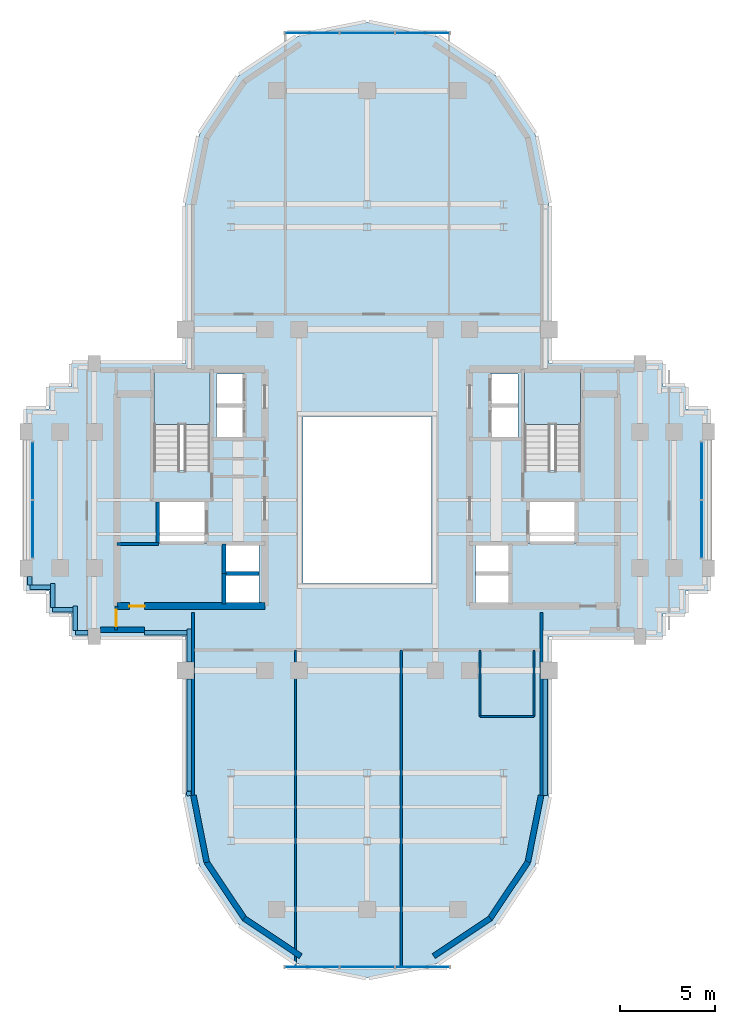
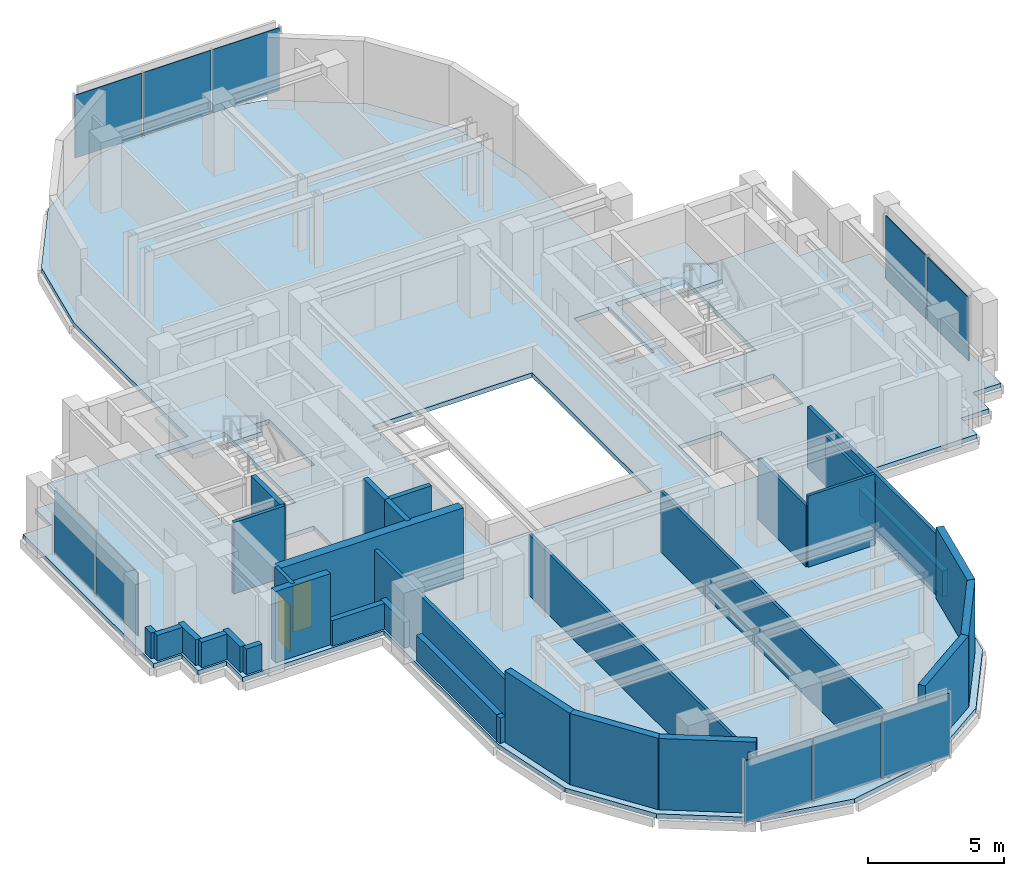
# One storey, part 5 of 11: 32 walls, 10 plates, 3 slabs, 2 doors, 2 openings, 6 elements without a shape of their own.
"""IFC4 building model written with IfcOpenShell, lengths in metres."""

from ifc_helpers import new_model, si_unit, direction, frame, frame_2d, origin, origin_2d, place, context, subcontext, project, spatial, polyline, rectangle, outline, extrude, source, transform, mapped, material, layer, layer_set, type_object, element, fill, aggregate, save


model = new_model("IFC4")

# Units and contexts
model_context = context("Model", 3, precision=1e-05, world=origin(), true_north=direction((0.0, 1.0)))
body_context = subcontext(model_context, "Body", "Model", "MODEL_VIEW")
ifc_project = project(units=[si_unit("LENGTHUNIT", "METRE"), si_unit("AREAUNIT", "SQUARE_METRE"), si_unit("VOLUMEUNIT", "CUBIC_METRE"), si_unit("PLANEANGLEUNIT", "RADIAN"), si_unit("MASSUNIT", "GRAM", prefix="KILO")], contexts=[model_context])

# Site, building, storey
site_placement = place(None, origin())
site = spatial("IfcSite", under=ifc_project, at=site_placement, CompositionType="ELEMENT")
building_placement = place(site_placement, origin())
building = spatial("IfcBuilding", under=site, at=building_placement, Name="Keilestroom Media Tower", CompositionType="ELEMENT")
storey_placement = place(building_placement, frame((0.0, 0.0, 180.800048828125)))
storey = spatial("IfcBuildingStorey", under=building, at=storey_placement, Name="L49", CompositionType="ELEMENT", Elevation=180.800048828125)

# Slab
ifc_material_1 = material(Name="Concrete C50/60", Category="concrete")
ifc_layer_1 = layer(ifc_material_1, 0.199951171875)
ifc_layer_set_1 = layer_set([ifc_layer_1], Name="Concrete C50/60")
slab_type_1 = type_object("IfcSlabType", Name="Composite-Floor-Slab-200", PredefinedType="FLOOR", material=ifc_layer_set_1)
slab_1_placement = place(storey_placement, frame((0.0, 0.0, -0.199951171875)))
element("IfcSlab", 1, at=slab_1_placement, inside=storey, type_object=slab_type_1, Name="L49 Structural Composite Floor Slab", PredefinedType="FLOOR", context=body_context, shape_type="SweptSolid", body=[
    extrude(outline(polyline([(18.0, -4.800048828125), (18.0, 4.800048828125), (16.800048828125, 4.800048828125), (16.800048828125, 6.0), (15.60009765625, 6.0), (15.60009765625, 7.199951171875), (9.60009765625, 7.199951171875), (9.60009765625, 9.60009765625), (9.60009765625, 15.60009765625), (8.869140625, 19.273681640625), (6.7880859375, 22.38818359375), (3.673828125, 24.46923828125), (0.0, 25.199951171875), (-3.673828125, 24.46923828125), (-6.7880859375, 22.38818359375), (-8.869140625, 19.273681640625), (-9.60009765625, 15.60009765625), (-9.60009765625, 9.60009765625), (-9.60009765625, 7.199951171875), (-15.60009765625, 7.199951171875), (-15.60009765625, 6.0), (-16.800048828125, 6.0), (-16.800048828125, 4.800048828125), (-18.0, 4.800048828125), (-18.0, -4.800048828125), (-16.800048828125, -4.800048828125), (-16.800048828125, -6.0), (-15.60009765625, -6.0), (-15.60009765625, -7.199951171875), (-9.60009765625, -7.199951171875), (-9.60009765625, -9.60009765625), (-9.60009765625, -15.60009765625), (-8.869140625, -19.273681640625), (-6.7880859375, -22.38818359375), (-3.673828125, -24.46923828125), (0.0, -25.199951171875), (3.673828125, -24.46923828125), (6.7880859375, -22.38818359375), (8.869140625, -19.273681640625), (9.60009765625, -15.60009765625), (9.60009765625, -9.60009765625), (9.60009765625, -7.199951171875), (15.60009765625, -7.199951171875), (15.60009765625, -6.0), (16.800048828125, -6.0), (16.800048828125, -4.800048828125), (18.0, -4.800048828125)]), holes=[polyline([(-11.260009765625, 1.544921875), (-11.260009765625, 6.760009765625), (-8.300048828125, 6.760009765625), (-8.300048828125, 1.544921875), (-11.260009765625, 1.544921875)]), polyline([(-11.050048828125, -2.280029296875), (-11.050048828125, -0.10009765625), (-8.47998046875, -0.10009765625), (-8.47998046875, -2.280029296875), (-11.050048828125, -2.280029296875)]), polyline([(-7.949951171875, 3.300048828125), (-7.949951171875, 6.64990234375), (-6.47998046875, 6.64990234375), (-6.47998046875, 3.300048828125), (-7.949951171875, 3.300048828125)]), polyline([(-7.56005859375, -2.320068359375), (-5.719970703125, -2.320068359375), (-5.719970703125, -5.47998046875), (-7.56005859375, -5.47998046875), (-7.56005859375, -2.320068359375)]), polyline([(3.39990234375, -4.39990234375), (-3.39990234375, -4.39990234375), (-3.39990234375, 4.39990234375), (3.39990234375, 4.39990234375), (3.39990234375, -4.39990234375)]), polyline([(7.56005859375, -2.320068359375), (7.56005859375, -5.47998046875), (5.719970703125, -5.47998046875), (5.719970703125, -2.320068359375), (7.56005859375, -2.320068359375)]), polyline([(6.47998046875, 3.300048828125), (6.47998046875, 6.64990234375), (7.949951171875, 6.64990234375), (7.949951171875, 3.300048828125), (6.47998046875, 3.300048828125)]), polyline([(8.300048828125, 1.544921875), (8.300048828125, 6.760009765625), (11.260009765625, 6.760009765625), (11.260009765625, 1.544921875), (8.300048828125, 1.544921875)]), polyline([(8.47998046875, -2.280029296875), (8.47998046875, -0.10009765625), (11.050048828125, -0.10009765625), (11.050048828125, -2.280029296875), (8.47998046875, -2.280029296875)])]), origin(), (0.0, 0.0, 1.0), 0.199951171875),
])

# Stair, slab
ifc_material_2 = material(Name="Concrete C45/55", Category="concrete")
stair_type = type_object("IfcStairType", Name="Enclosed-Dog-Leg-Stair-ST-CORE", PredefinedType="HALF_TURN_STAIR", material=ifc_material_2)
stair_1_placement = place(storey_placement, origin())
stair_1 = element("IfcStair", 2, at=stair_1_placement, inside=storey, type_object=stair_type, Name="L49 West Core Escape Stair ST-1", PredefinedType="HALF_TURN_STAIR")
ifc_layer_2 = layer(ifc_material_2, 0.199951171875)
ifc_layer_set_2 = layer_set([ifc_layer_2], Name="Concrete C45/55")
slab_type_2 = type_object("IfcSlabType", Name="Stair-Intermediate-And-Top-Landing-Slab-200", PredefinedType="LANDING", material=ifc_layer_set_2)
slab_2_placement = place(storey_placement, frame((0.0, 0.0, 1.5)))
slab_2 = element("IfcSlab", 3, at=slab_2_placement, type_object=slab_type_2, Name="ST-1 landing 1", PredefinedType="LANDING", context=body_context, shape_type="SweptSolid", body=[
    extrude(outline(polyline([(-8.300048828125, 3.99609375), (-8.300048828125, 6.760009765625), (-11.260009765625, 6.760009765625), (-11.260009765625, 3.99609375), (-8.300048828125, 3.99609375)])), origin(), (0.0, 0.0, 1.0), 0.199951171875),
])
aggregate(stair_1, [slab_2])

stair_2_placement = place(storey_placement, origin())
stair_2 = element("IfcStair", 4, at=stair_2_placement, inside=storey, type_object=stair_type, Name="L49 East Core Escape Stair ST-2", PredefinedType="HALF_TURN_STAIR")
slab_3_placement = place(storey_placement, frame((0.0, 0.0, 1.5)))
slab_3 = element("IfcSlab", 5, at=slab_3_placement, type_object=slab_type_2, Name="ST-2 landing 1", PredefinedType="LANDING", context=body_context, shape_type="SweptSolid", body=[
    extrude(outline(polyline([(11.260009765625, 3.99609375), (11.260009765625, 6.760009765625), (8.300048828125, 6.760009765625), (8.300048828125, 3.99609375), (11.260009765625, 3.99609375)])), origin(), (0.0, 0.0, 1.0), 0.199951171875),
])
aggregate(stair_2, [slab_3])

# Curtain wall, plates
ifc_material_3 = material(Name="Anodised Aluminium Alloy", Category="aluminium")
curtain_wall_type_1 = type_object("IfcCurtainWallType", Name="Unitised-Curtain-Wall-CW-6", PredefinedType="NOTDEFINED", material=ifc_material_3)
curtain_wall_1_placement = place(storey_placement, origin())
curtain_wall_1 = element("IfcCurtainWall", 6, at=curtain_wall_1_placement, inside=storey, type_object=curtain_wall_type_1, Name="L49 Curtain Wall CW-6 CW-L49-LN-1", PredefinedType="NOTDEFINED")
ifc_material_4 = material(Name="Curved-Facet Triple Glazed Unit", Category="glass")
ifc_layer_3 = layer(ifc_material_4, 0.033935546875)
ifc_layer_set_3 = layer_set([ifc_layer_3], Name="Curved-Facet Triple Glazed Unit")
plate_type_1 = type_object("IfcPlateType", Name="Insulated-Curtain-Wall-Glazing-Panel-CW-6", PredefinedType="CURTAIN_PANEL", material=ifc_layer_set_3)
shared_shape_1 = source(origin(), body_context, "Body", "SweptSolid", [
    extrude(rectangle(XDim=2.84375, YDim=0.033935546875, at=origin_2d()), origin(), (0.0, 0.0, 1.0), 2.833984375),
])
plate_1_placement = place(storey_placement, frame((-2.9169921875, 24.64990234375, 0.072998046875), z_axis=(0.0, 0.0, 1.0), x_axis=(1.0, 0.0, 0.0)))
plate_1 = element("IfcPlate", 7, at=plate_1_placement, type_object=plate_type_1, Name="CW-6 Unitised Glazing 00", PredefinedType="CURTAIN_PANEL", context=body_context, shape_type="MappedRepresentation", body=[
    mapped(shared_shape_1, transform((0.0, 0.0, 0.0), x_axis=(1.0, 0.0, 0.0), y_axis=(0.0, 1.0, 0.0), z_axis=(0.0, 0.0, 1.0), scale=1.0)),
])
plate_2_placement = place(storey_placement, frame((2.9169921875, 24.64990234375, 0.072998046875), z_axis=(0.0, 0.0, 1.0), x_axis=(1.0, 0.0, 0.0)))
plate_2 = element("IfcPlate", 8, at=plate_2_placement, type_object=plate_type_1, Name="CW-6 Unitised Glazing 02", PredefinedType="CURTAIN_PANEL", context=body_context, shape_type="MappedRepresentation", body=[
    mapped(shared_shape_1, transform((0.0, 0.0, 0.0), x_axis=(1.0, 0.0, 0.0), y_axis=(0.0, 1.0, 0.0), z_axis=(0.0, 0.0, 1.0), scale=1.0)),
])

curtain_wall_2_placement = place(storey_placement, origin())
curtain_wall_2 = element("IfcCurtainWall", 9, at=curtain_wall_2_placement, inside=storey, type_object=curtain_wall_type_1, Name="L49 Curtain Wall CW-6 CW-L49-LS-1", PredefinedType="NOTDEFINED")
plate_3_placement = place(storey_placement, frame((-2.9169921875, -24.64990234375, 0.072998046875), z_axis=(0.0, 0.0, 1.0), x_axis=(1.0, 0.0, 0.0)))
plate_3 = element("IfcPlate", 10, at=plate_3_placement, type_object=plate_type_1, Name="CW-6 Unitised Glazing 00", PredefinedType="CURTAIN_PANEL", context=body_context, shape_type="MappedRepresentation", body=[
    mapped(shared_shape_1, transform((0.0, 0.0, 0.0), x_axis=(1.0, 0.0, 0.0), y_axis=(0.0, 1.0, 0.0), z_axis=(0.0, 0.0, 1.0), scale=1.0)),
])
plate_4_placement = place(storey_placement, frame((2.9169921875, -24.64990234375, 0.072998046875), z_axis=(0.0, 0.0, 1.0), x_axis=(1.0, 0.0, 0.0)))
plate_4 = element("IfcPlate", 11, at=plate_4_placement, type_object=plate_type_1, Name="CW-6 Unitised Glazing 02", PredefinedType="CURTAIN_PANEL", context=body_context, shape_type="MappedRepresentation", body=[
    mapped(shared_shape_1, transform((0.0, 0.0, 0.0), x_axis=(1.0, 0.0, 0.0), y_axis=(0.0, 1.0, 0.0), z_axis=(0.0, 0.0, 1.0), scale=1.0)),
])

# Plate
shared_shape_2 = source(origin(), body_context, "Body", "SweptSolid", [
    extrude(rectangle(XDim=2.876220703125, YDim=0.033935546875, at=origin_2d()), origin(), (0.0, 0.0, 1.0), 2.833984375),
])
plate_5_placement = place(storey_placement, frame((0.0, 24.64990234375, 0.072998046875), z_axis=(0.0, 0.0, 1.0), x_axis=(1.0, 0.0, 0.0)))
plate_5 = element("IfcPlate", 12, at=plate_5_placement, type_object=plate_type_1, Name="CW-6 Unitised Glazing 01", PredefinedType="CURTAIN_PANEL", context=body_context, shape_type="MappedRepresentation", body=[
    mapped(shared_shape_2, transform((0.0, 0.0, 0.0), x_axis=(1.0, 0.0, 0.0), y_axis=(0.0, 1.0, 0.0), z_axis=(0.0, 0.0, 1.0), scale=1.0)),
])

aggregate(curtain_wall_1, [plate_1, plate_5, plate_2])

plate_6_placement = place(storey_placement, frame((0.0, -24.64990234375, 0.072998046875), z_axis=(0.0, 0.0, 1.0), x_axis=(1.0, 0.0, 0.0)))
plate_6 = element("IfcPlate", 13, at=plate_6_placement, type_object=plate_type_1, Name="CW-6 Unitised Glazing 01", PredefinedType="CURTAIN_PANEL", context=body_context, shape_type="MappedRepresentation", body=[
    mapped(shared_shape_2, transform((0.0, 0.0, 0.0), x_axis=(1.0, 0.0, 0.0), y_axis=(0.0, 1.0, 0.0), z_axis=(0.0, 0.0, 1.0), scale=1.0)),
])

aggregate(curtain_wall_2, [plate_3, plate_6, plate_4])

# Curtain wall, plates
curtain_wall_type_2 = type_object("IfcCurtainWallType", Name="Unitised-Curtain-Wall-CW-3", PredefinedType="NOTDEFINED", material=ifc_material_3)
curtain_wall_3_placement = place(storey_placement, origin())
curtain_wall_3 = element("IfcCurtainWall", 14, at=curtain_wall_3_placement, inside=storey, type_object=curtain_wall_type_2, Name="L49 Curtain Wall CW-3 CW-L49-W-1", PredefinedType="NOTDEFINED")
ifc_material_5 = material(Name="Triple Glazed Acoustic Low-E Unit", Category="glass")
ifc_layer_4 = layer(ifc_material_5, 0.0380859375)
ifc_layer_set_4 = layer_set([ifc_layer_4], Name="Triple Glazed Acoustic Low-E Unit")
plate_type_2 = type_object("IfcPlateType", Name="Insulated-Curtain-Wall-Glazing-Panel-CW-3", PredefinedType="CURTAIN_PANEL", material=ifc_layer_set_4)
shared_shape_3 = source(origin(), body_context, "Body", "SweptSolid", [
    extrude(rectangle(XDim=3.025390625, YDim=0.0380859375, at=origin_2d()), origin(), (0.0, 0.0, 1.0), 2.833984375),
])
plate_7_placement = place(storey_placement, frame((-17.64990234375, -1.541259765625, 0.072998046875), z_axis=(0.0, 0.0, 1.0), x_axis=(0.0, 1.0, 0.0)))
plate_7 = element("IfcPlate", 15, at=plate_7_placement, type_object=plate_type_2, Name="CW-3 Unitised Glazing 00", PredefinedType="CURTAIN_PANEL", context=body_context, shape_type="MappedRepresentation", body=[
    mapped(shared_shape_3, transform((0.0, 0.0, 0.0), x_axis=(1.0, 0.0, 0.0), y_axis=(0.0, 1.0, 0.0), z_axis=(0.0, 0.0, 1.0), scale=1.0)),
])
plate_8_placement = place(storey_placement, frame((-17.64990234375, 1.541259765625, 0.072998046875), z_axis=(0.0, 0.0, 1.0), x_axis=(0.0, 1.0, 0.0)))
plate_8 = element("IfcPlate", 16, at=plate_8_placement, type_object=plate_type_2, Name="CW-3 Unitised Glazing 01", PredefinedType="CURTAIN_PANEL", context=body_context, shape_type="MappedRepresentation", body=[
    mapped(shared_shape_3, transform((0.0, 0.0, 0.0), x_axis=(1.0, 0.0, 0.0), y_axis=(0.0, 1.0, 0.0), z_axis=(0.0, 0.0, 1.0), scale=1.0)),
])
aggregate(curtain_wall_3, [plate_7, plate_8])

curtain_wall_4_placement = place(storey_placement, origin())
curtain_wall_4 = element("IfcCurtainWall", 17, at=curtain_wall_4_placement, inside=storey, type_object=curtain_wall_type_2, Name="L49 Curtain Wall CW-3 CW-L49-E-1", PredefinedType="NOTDEFINED")
plate_9_placement = place(storey_placement, frame((17.64990234375, -1.541259765625, 0.072998046875), z_axis=(0.0, 0.0, 1.0), x_axis=(0.0, 1.0, 0.0)))
plate_9 = element("IfcPlate", 18, at=plate_9_placement, type_object=plate_type_2, Name="CW-3 Unitised Glazing 00", PredefinedType="CURTAIN_PANEL", context=body_context, shape_type="MappedRepresentation", body=[
    mapped(shared_shape_3, transform((0.0, 0.0, 0.0), x_axis=(1.0, 0.0, 0.0), y_axis=(0.0, 1.0, 0.0), z_axis=(0.0, 0.0, 1.0), scale=1.0)),
])
plate_10_placement = place(storey_placement, frame((17.64990234375, 1.541259765625, 0.072998046875), z_axis=(0.0, 0.0, 1.0), x_axis=(0.0, 1.0, 0.0)))
plate_10 = element("IfcPlate", 19, at=plate_10_placement, type_object=plate_type_2, Name="CW-3 Unitised Glazing 01", PredefinedType="CURTAIN_PANEL", context=body_context, shape_type="MappedRepresentation", body=[
    mapped(shared_shape_3, transform((0.0, 0.0, 0.0), x_axis=(1.0, 0.0, 0.0), y_axis=(0.0, 1.0, 0.0), z_axis=(0.0, 0.0, 1.0), scale=1.0)),
])
aggregate(curtain_wall_4, [plate_9, plate_10])

# Walls
ifc_material_6 = material(Name="Precast concrete C40/50", Category="concrete")
ifc_layer_5 = layer(ifc_material_6, 0.300048828125)
ifc_layer_set_5 = layer_set([ifc_layer_5], Name="Precast concrete C40/50")
wall_type_1 = type_object("IfcWallType", Name="Exterior-Masonry-Spandrel-Wall-300", PredefinedType="SOLIDWALL", material=ifc_layer_set_5)
wall_1_placement = place(storey_placement, frame((-14.0830078125, -6.85009765625, 0.0), z_axis=(0.0, 0.0, 1.0), x_axis=(1.0, 0.0, 0.0)))
element("IfcWall", 20, at=wall_1_placement, inside=storey, type_object=wall_type_1, Name="L49 Flank Masonry Wall EWL-L49-SW-1", PredefinedType="SOLIDWALL", context=body_context, shape_type="SweptSolid", body=[
    extrude(rectangle(XDim=2.3330078125, YDim=0.300048828125, at=frame_2d((1.16650390625, 0.0))), origin(), (0.0, 0.0, 1.0), 3.199951171875),
])
for number, where, z_axis, x_axis, name in (
    (21, (-9.1748046875, -15.585205078125, 0.0), (0.0, 0.0, 1.0), (0.195114232679, -0.980780523974, 0.0), "L49 Lobe Facet Precast Frame Wall 07"),
    (22, (-8.48193359375, -19.097412109375, 0.0), (0.0, 0.0, 1.0), (0.555574187116, -0.831466970246, 0.0), "L49 Lobe Facet Precast Frame Wall 08"),
):
    element("IfcWall", number, at=place(storey_placement, frame(where, z_axis=z_axis, x_axis=x_axis)), inside=storey, type_object=wall_type_1, Name=name, PredefinedType="SOLIDWALL", context=body_context, shape_type="SweptSolid", body=[
        extrude(rectangle(XDim=3.608642578125, YDim=0.300048828125, at=frame_2d((1.80419921875, 0.0))), origin(), (0.0, 0.0, 1.0), 3.199951171875),
    ])
for number, where, z_axis, x_axis, name in (
    (23, (-6.497802734375, -22.0771484375, 0.0), (0.0, 0.0, 1.0), (0.8314749531, -0.555562239868, 0.0), "L49 Lobe Facet Precast Frame Wall 09"),
    (24, (3.510009765625, -24.073486328125, 0.0), (0.0, 0.0, 1.0), (0.8314749531, 0.555562239868, 0.0), "L49 Lobe Facet Precast Frame Wall 10"),
):
    element("IfcWall", number, at=place(storey_placement, frame(where, z_axis=z_axis, x_axis=x_axis)), inside=storey, type_object=wall_type_1, Name=name, PredefinedType="SOLIDWALL", context=body_context, shape_type="SweptSolid", body=[
        extrude(rectangle(XDim=3.59326171875, YDim=0.300048828125, at=frame_2d((1.796630859375, 0.0))), origin(), (0.0, 0.0, 1.0), 3.199951171875),
    ])
for number, where, z_axis, x_axis, name in (
    (25, (6.47705078125, -22.097900390625, 0.0), (0.0, 0.0, 1.0), (0.555574187116, 0.831466970246, 0.0), "L49 Lobe Facet Precast Frame Wall 11"),
    (26, (8.470703125, -19.12451171875, 0.0), (0.0, 0.0, 1.0), (0.195114232679, 0.980780523974, 0.0), "L49 Lobe Facet Precast Frame Wall 12"),
):
    element("IfcWall", number, at=place(storey_placement, frame(where, z_axis=z_axis, x_axis=x_axis)), inside=storey, type_object=wall_type_1, Name=name, PredefinedType="SOLIDWALL", context=body_context, shape_type="SweptSolid", body=[
        extrude(rectangle(XDim=3.608642578125, YDim=0.300048828125, at=frame_2d((1.80419921875, 0.0))), origin(), (0.0, 0.0, 1.0), 3.199951171875),
    ])
ifc_material_7 = material(Name="Gypsum Plasterboard & Steel Stud", Category="steel")
ifc_layer_6 = layer(ifc_material_7, 0.1201171875)
ifc_layer_set_6 = layer_set([ifc_layer_6], Name="Gypsum Plasterboard & Steel Stud")
wall_type_2 = type_object("IfcWallType", Name="Interior-Partition-Wall-120", PredefinedType="PARTITIONING", material=ifc_layer_set_6)
for number, where, z_axis, x_axis, name in (
    (27, (-3.780029296875, -24.64990234375, 0.0), (0.0, 0.0, 1.0), (0.0, 1.0, 0.0), "L49 Interior Wall WP-L49-SL-V1"),
    (28, (1.800048828125, -24.64990234375, 0.0), (0.0, 0.0, 1.0), (0.0, 1.0, 0.0), "L49 Interior Wall WP-L49-SL-V2"),
):
    element("IfcWall", number, at=place(storey_placement, frame(where, z_axis=z_axis, x_axis=x_axis)), inside=storey, type_object=wall_type_2, Name=name, PredefinedType="PARTITIONING", context=body_context, shape_type="SweptSolid", body=[
        extrude(rectangle(XDim=16.72998046875, YDim=0.1201171875, at=frame_2d((8.364990234375, 0.0))), origin(), (0.0, 0.0, 1.0), 2.75),
    ])
wall_2_placement = place(storey_placement, frame((5.949951171875, -11.419921875, 0.0), z_axis=(0.0, 0.0, 1.0), x_axis=(1.0, 0.0, 0.0)))
element("IfcWall", 29, at=wall_2_placement, inside=storey, type_object=wall_type_2, Name="L49 Interior Wall WP-L49-SL-WC2-S", PredefinedType="PARTITIONING", context=body_context, shape_type="SweptSolid", body=[
    extrude(rectangle(XDim=2.85009765625, YDim=0.1201171875, at=frame_2d((1.425048828125, 0.0))), origin(), (0.0, 0.0, 1.0), 3.199951171875),
])
for number, where, z_axis, x_axis, name in (
    (30, (5.949951171875, -11.419921875, 0.0), (0.0, 0.0, 1.0), (0.0, 1.0, 0.0), "L49 Interior Wall WP-L49-SL-WC2-W"),
    (31, (8.800048828125, -11.419921875, 0.0), (0.0, 0.0, 1.0), (0.0, 1.0, 0.0), "L49 Interior Wall WP-L49-SL-WC2-E"),
):
    element("IfcWall", number, at=place(storey_placement, frame(where, z_axis=z_axis, x_axis=x_axis)), inside=storey, type_object=wall_type_2, Name=name, PredefinedType="PARTITIONING", context=body_context, shape_type="SweptSolid", body=[
        extrude(rectangle(XDim=3.5, YDim=0.1201171875, at=frame_2d((1.75, 0.0))), origin(), (0.0, 0.0, 1.0), 2.75),
    ])
ifc_layer_7 = layer(ifc_material_7, 0.14990234375)
ifc_layer_set_7 = layer_set([ifc_layer_7], Name="Gypsum Plasterboard & Steel Stud")
wall_type_3 = type_object("IfcWallType", Name="Interior-Partition-Wall-150", PredefinedType="PARTITIONING", material=ifc_layer_set_7)
wall_3_placement = place(storey_placement, frame((-13.199951171875, -2.320068359375, 0.0), z_axis=(0.0, 0.0, 1.0), x_axis=(1.0, 0.0, 0.0)))
element("IfcWall", 32, at=wall_3_placement, inside=storey, type_object=wall_type_3, Name="L49 Interior Wall WP-L49-RECLW-N", PredefinedType="PARTITIONING", context=body_context, shape_type="SweptSolid", body=[
    extrude(rectangle(XDim=2.179931640625, YDim=0.14990234375, at=frame_2d((1.08984375, 0.0))), origin(), (0.0, 0.0, 1.0), 3.199951171875),
])
for number, where, z_axis, x_axis, name in (
    (33, (-9.199951171875, -15.679931640625, 0.0), (0.0, 0.0, 1.0), (0.0, 1.0, 0.0), "L49 Interior Wall WP-L49-SL-CHKW"),
    (34, (9.199951171875, -15.679931640625, 0.0), (0.0, 0.0, 1.0), (0.0, 1.0, 0.0), "L49 Interior Wall WP-L49-SL-CHKE"),
):
    element("IfcWall", number, at=place(storey_placement, frame(where, z_axis=z_axis, x_axis=x_axis)), inside=storey, type_object=wall_type_3, Name=name, PredefinedType="PARTITIONING", context=body_context, shape_type="SweptSolid", body=[
        extrude(rectangle(XDim=9.739990234375, YDim=0.14990234375, at=frame_2d((4.8701171875, 0.0))), origin(), (0.0, 0.0, 1.0), 2.75),
    ])

# Wall, opening, door
wall_4_placement = place(storey_placement, frame((-13.260009765625, -6.85009765625, 0.0), z_axis=(0.0, 0.0, 1.0), x_axis=(0.016013571389, 0.999871774545, 0.0)))
wall_4 = element("IfcWall", 35, at=wall_4_placement, inside=storey, type_object=wall_type_3, Name="L49 Interior Wall WP-L49-WA-ENTS", PredefinedType="PARTITIONING", context=body_context, shape_type="SweptSolid", body=[
    extrude(rectangle(XDim=1.250244140625, YDim=0.14990234375, at=frame_2d((0.625, 0.0))), origin(), (0.0, 0.0, 1.0), 3.199951171875),
])
opening_1_placement = place(wall_4_placement, frame((0.199951171875, 0.0, 0.0)))
opening_1 = element("IfcOpeningElement", 36, at=opening_1_placement, cuts=wall_4, Name="Opening DI-05", PredefinedType="OPENING", context=body_context, shape_type="SweptSolid", body=[
    extrude(rectangle(XDim=0.85009765625, YDim=2.10009765625, at=frame_2d((0.425048828125, 1.050048828125))), frame((0.0, 0.0849609375, 0.0), z_axis=(0.0, -1.0, 0.0), x_axis=(1.0, 0.0, 0.0)), (0.0, 0.0, 1.0), 0.169921875),
])
ifc_material_8 = material(Name="Moisture-Resistant Oak Leaf", Category="wood")
door_type_1 = type_object("IfcDoorType", Name="Interior-En-Suite-And-Cupboard-Door-DI-05", OperationType="NOTDEFINED", PredefinedType="DOOR", material=ifc_material_8)
shared_shape_4 = source(origin(), body_context, "Body", "SweptSolid", [
    extrude(rectangle(XDim=0.85009765625, YDim=2.10009765625, at=frame_2d((0.425048828125, 1.050048828125))), frame((0.0, 0.02490234375, 0.0), z_axis=(0.0, -1.0, 0.0), x_axis=(1.0, 0.0, 0.0)), (0.0, 0.0, 1.0), 0.050048828125),
])
door_1_placement = place(opening_1_placement, origin())
door_1 = element("IfcDoor", 37, at=door_1_placement, inside=storey, type_object=door_type_1, Name="L49 Interior Door DI-L49-DWA-E", OperationType="SINGLE_SWING_LEFT", OverallHeight=2.10009765625, OverallWidth=0.85009765625, PredefinedType="DOOR", context=body_context, shape_type="MappedRepresentation", body=[
    mapped(shared_shape_4, transform((0.0, 0.0, 0.0), x_axis=(1.0, 0.0, 0.0), y_axis=(0.0, 1.0, 0.0), z_axis=(0.0, 0.0, 1.0), scale=1.0)),
])
fill(opening_1, door_1)

ifc_material_9 = material(Name="Concrete C55/67", Category="concrete")
ifc_layer_8 = layer(ifc_material_9, 0.3798828125)
ifc_layer_set_8 = layer_set([ifc_layer_8], Name="Concrete C55/67")
wall_type_4 = type_object("IfcWallType", Name="Reinforced-Concrete-Core-Shear-Wall-380", PredefinedType="SHEAR", material=ifc_layer_set_8)
wall_5_placement = place(storey_placement, frame((-13.199951171875, -5.60009765625, 0.0), z_axis=(0.0, 0.0, 1.0), x_axis=(1.0, 0.0, 0.0)))
wall_5 = element("IfcWall", 38, at=wall_5_placement, inside=storey, type_object=wall_type_4, Name="L49 Core Shear Wall WL-L49-CORE-W-S", PredefinedType="SHEAR", context=body_context, shape_type="SweptSolid", body=[
    extrude(rectangle(XDim=7.800048828125, YDim=0.3798828125, at=frame_2d((3.89990234375, 0.0))), origin(), (0.0, 0.0, 1.0), 3.199951171875),
])
opening_2_placement = place(wall_5_placement, frame((0.64990234375, 0.0, 0.0)))
opening_2 = element("IfcOpeningElement", 39, at=opening_2_placement, cuts=wall_5, Name="Opening DI-06", PredefinedType="OPENING", context=body_context, shape_type="SweptSolid", body=[
    extrude(rectangle(XDim=0.800048828125, YDim=2.10009765625, at=frame_2d((0.39990234375, 1.050048828125))), frame((0.0, 0.199951171875, 0.0), z_axis=(0.0, -1.0, 0.0), x_axis=(1.0, 0.0, 0.0)), (0.0, 0.0, 1.0), 0.39990234375),
])
ifc_material_10 = material(Name="Powder-Coated Steel Service Leaf", Category="steel")
door_type_2 = type_object("IfcDoorType", Name="Interior-Riser-Access-Door-DI-06", OperationType="NOTDEFINED", PredefinedType="DOOR", material=ifc_material_10)
shared_shape_5 = source(origin(), body_context, "Body", "SweptSolid", [
    extrude(rectangle(XDim=0.800048828125, YDim=2.10009765625, at=frame_2d((0.39990234375, 1.050048828125))), frame((0.0, 0.02490234375, 0.0), z_axis=(0.0, -1.0, 0.0), x_axis=(1.0, 0.0, 0.0)), (0.0, 0.0, 1.0), 0.050048828125),
])
door_2_placement = place(opening_2_placement, origin())
door_2 = element("IfcDoor", 40, at=door_2_placement, inside=storey, type_object=door_type_2, Name="L49 Reclaimed West Core Room Door", OperationType="SINGLE_SWING_LEFT", OverallHeight=2.10009765625, OverallWidth=0.800048828125, PredefinedType="DOOR", context=body_context, shape_type="MappedRepresentation", body=[
    mapped(shared_shape_5, transform((0.0, 0.0, 0.0), x_axis=(1.0, 0.0, 0.0), y_axis=(0.0, 1.0, 0.0), z_axis=(0.0, 0.0, 1.0), scale=1.0)),
])
fill(opening_2, door_2)

# Walls
ifc_layer_9 = layer(ifc_material_1, 0.199951171875)
ifc_layer_set_9 = layer_set([ifc_layer_9], Name="Concrete C50/60")
wall_type_5 = type_object("IfcWallType", Name="Reinforced-Concrete-Shaft-Wall-200", PredefinedType="SOLIDWALL", material=ifc_layer_set_9)
wall_6_placement = place(storey_placement, frame((-11.050048828125, -2.280029296875, 0.0), z_axis=(0.0, 0.0, 1.0), x_axis=(0.0, 1.0, 0.0)))
element("IfcWall", 41, at=wall_6_placement, inside=storey, type_object=wall_type_5, Name="L49 Core Shear Wall WL-L49-LSH-FFL-1-W", PredefinedType="SOLIDWALL", context=body_context, shape_type="SweptSolid", body=[
    extrude(rectangle(XDim=2.179931640625, YDim=0.199951171875, at=frame_2d((1.08984375, 0.0))), origin(), (0.0, 0.0, 1.0), 3.199951171875),
])
wall_7_placement = place(storey_placement, frame((-7.56005859375, -5.47998046875, 0.0), z_axis=(0.0, 0.0, 1.0), x_axis=(0.0, 1.0, 0.0)))
element("IfcWall", 42, at=wall_7_placement, inside=storey, type_object=wall_type_5, Name="L49 Core Shear Wall WL-L49-LSH-PL-M1-W", PredefinedType="SOLIDWALL", context=body_context, shape_type="SweptSolid", body=[
    extrude(rectangle(XDim=1.60009765625, YDim=0.199951171875, at=frame_2d((0.800048828125, 0.0))), origin(), (0.0, 0.0, 1.0), 3.199951171875),
])
wall_8_placement = place(storey_placement, frame((-7.56005859375, -3.8798828125, 0.0), z_axis=(0.0, 0.0, 1.0), x_axis=(1.0, 0.0, 0.0)))
element("IfcWall", 43, at=wall_8_placement, inside=storey, type_object=wall_type_5, Name="L49 Core Shear Wall WL-L49-LSH-PL-M1-N", PredefinedType="SOLIDWALL", context=body_context, shape_type="SweptSolid", body=[
    extrude(rectangle(XDim=1.840087890625, YDim=0.199951171875, at=frame_2d((0.919921875, 0.0))), origin(), (0.0, 0.0, 1.0), 3.199951171875),
])
wall_9_placement = place(storey_placement, frame((-7.56005859375, -3.8798828125, 0.0), z_axis=(0.0, 0.0, 1.0), x_axis=(0.0, 1.0, 0.0)))
element("IfcWall", 44, at=wall_9_placement, inside=storey, type_object=wall_type_5, Name="L49 Core Shear Wall WL-L49-LSH-PL-M2-W", PredefinedType="SOLIDWALL", context=body_context, shape_type="SweptSolid", body=[
    extrude(rectangle(XDim=1.559814453125, YDim=0.199951171875, at=frame_2d((0.77978515625, 0.0))), origin(), (0.0, 0.0, 1.0), 3.199951171875),
])
ifc_layer_10 = layer(ifc_material_6, 0.239990234375)
ifc_layer_set_10 = layer_set([ifc_layer_10], Name="Precast concrete C40/50")
wall_type_6 = type_object("IfcWallType", Name="Roof-And-Terrace-Parapet-Wall-240", PredefinedType="PARAPET", material=ifc_layer_set_10)
wall_10_placement = place(storey_placement, frame((9.39990234375, -9.452880859375, 0.0), z_axis=(0.0, 0.0, 1.0), x_axis=(0.0, -1.0, 0.0)))
element("IfcWall", 45, at=wall_10_placement, inside=storey, type_object=wall_type_6, Name="L49 Perimeter Edge Parapet Wall 09", PredefinedType="PARAPET", context=body_context, shape_type="SweptSolid", body=[
    extrude(rectangle(XDim=6.14990234375, YDim=0.239990234375, at=frame_2d((3.074951171875, 0.0))), origin(), (0.0, 0.0, 1.0), 1.14990234375),
])
wall_11_placement = place(storey_placement, frame((-9.395263671875, -15.604248046875, 0.0), z_axis=(0.0, 0.0, 1.0), x_axis=(-0.194652052864, 0.980872355771, 0.0)))
element("IfcWall", 46, at=wall_11_placement, inside=storey, type_object=wall_type_6, Name="L49 Perimeter Edge Parapet Wall 10", PredefinedType="PARAPET", context=body_context, shape_type="SweptSolid", body=[
    extrude(rectangle(XDim=0.224609375, YDim=0.239990234375, at=frame_2d((0.1123046875, 0.0))), origin(), (0.0, 0.0, 1.0), 1.14990234375),
])
wall_12_placement = place(storey_placement, frame((-9.39990234375, -15.357666015625, 0.0), z_axis=(0.0, 0.0, 1.0), x_axis=(0.0, 1.0, 0.0)))
element("IfcWall", 47, at=wall_12_placement, inside=storey, type_object=wall_type_6, Name="L49 Perimeter Edge Parapet Wall 11", PredefinedType="PARAPET", context=body_context, shape_type="SweptSolid", body=[
    extrude(rectangle(XDim=5.90478515625, YDim=0.239990234375, at=frame_2d((2.952392578125, 0.0))), origin(), (0.0, 0.0, 1.0), 1.14990234375),
])
wall_13_placement = place(storey_placement, frame((-9.39990234375, -8.547119140625, 0.0), z_axis=(0.0, 0.0, 1.0), x_axis=(0.0, 1.0, 0.0)))
element("IfcWall", 48, at=wall_13_placement, inside=storey, type_object=wall_type_6, Name="L49 Perimeter Edge Parapet Wall 12", PredefinedType="PARAPET", context=body_context, shape_type="SweptSolid", body=[
    extrude(rectangle(XDim=1.7470703125, YDim=0.239990234375, at=frame_2d((0.87353515625, 0.0))), origin(), (0.0, 0.0, 1.0), 1.14990234375),
])
wall_14_placement = place(storey_placement, frame((-9.52294921875, -7.0, 0.0), z_axis=(0.0, 0.0, 1.0), x_axis=(-1.0, 0.0, 0.0)))
element("IfcWall", 49, at=wall_14_placement, inside=storey, type_object=wall_type_6, Name="L49 Perimeter Edge Parapet Wall 13", PredefinedType="PARAPET", context=body_context, shape_type="SweptSolid", body=[
    extrude(rectangle(XDim=2.22412109375, YDim=0.239990234375, at=frame_2d((1.112060546875, 0.0))), origin(), (0.0, 0.0, 1.0), 1.14990234375),
])
wall_15_placement = place(storey_placement, frame((-14.72802734375, -7.0, 0.0), z_axis=(0.0, 0.0, 1.0), x_axis=(-1.0, 0.0, 0.0)))
element("IfcWall", 50, at=wall_15_placement, inside=storey, type_object=wall_type_6, Name="L49 Perimeter Edge Parapet Wall 14", PredefinedType="PARAPET", context=body_context, shape_type="SweptSolid", body=[
    extrude(rectangle(XDim=0.671875, YDim=0.239990234375, at=frame_2d((0.3359375, 0.0))), origin(), (0.0, 0.0, 1.0), 1.14990234375),
])
wall_16_placement = place(storey_placement, frame((-15.39990234375, -6.876953125, 0.0), z_axis=(0.0, 0.0, 1.0), x_axis=(0.0, 1.0, 0.0)))
element("IfcWall", 51, at=wall_16_placement, inside=storey, type_object=wall_type_6, Name="L49 Perimeter Edge Parapet Wall 15", PredefinedType="PARAPET", context=body_context, shape_type="SweptSolid", body=[
    extrude(rectangle(XDim=1.27685546875, YDim=0.239990234375, at=frame_2d((0.638427734375, 0.0))), origin(), (0.0, 0.0, 1.0), 1.14990234375),
])
wall_17_placement = place(storey_placement, frame((-15.52294921875, -5.800048828125, 0.0), z_axis=(0.0, 0.0, 1.0), x_axis=(-1.0, 0.0, 0.0)))
element("IfcWall", 52, at=wall_17_placement, inside=storey, type_object=wall_type_6, Name="L49 Perimeter Edge Parapet Wall 16", PredefinedType="PARAPET", context=body_context, shape_type="SweptSolid", body=[
    extrude(rectangle(XDim=1.0771484375, YDim=0.239990234375, at=frame_2d((0.53857421875, 0.0))), origin(), (0.0, 0.0, 1.0), 1.14990234375),
])
wall_18_placement = place(storey_placement, frame((-16.60009765625, -5.677001953125, 0.0), z_axis=(0.0, 0.0, 1.0), x_axis=(0.0, 1.0, 0.0)))
element("IfcWall", 53, at=wall_18_placement, inside=storey, type_object=wall_type_6, Name="L49 Perimeter Edge Parapet Wall 17", PredefinedType="PARAPET", context=body_context, shape_type="SweptSolid", body=[
    extrude(rectangle(XDim=1.277099609375, YDim=0.239990234375, at=frame_2d((0.638671875, 0.0))), origin(), (0.0, 0.0, 1.0), 1.14990234375),
])
wall_19_placement = place(storey_placement, frame((-16.722900390625, -4.60009765625, 0.0), z_axis=(0.0, 0.0, 1.0), x_axis=(-1.0, 0.0, 0.0)))
element("IfcWall", 54, at=wall_19_placement, inside=storey, type_object=wall_type_6, Name="L49 Perimeter Edge Parapet Wall 18", PredefinedType="PARAPET", context=body_context, shape_type="SweptSolid", body=[
    extrude(rectangle(XDim=1.0771484375, YDim=0.239990234375, at=frame_2d((0.53857421875, 0.0))), origin(), (0.0, 0.0, 1.0), 1.14990234375),
])
wall_20_placement = place(storey_placement, frame((-17.800048828125, -4.47705078125, 0.0), z_axis=(0.0, 0.0, 1.0), x_axis=(0.0, 1.0, 0.0)))
element("IfcWall", 55, at=wall_20_placement, inside=storey, type_object=wall_type_6, Name="L49 Perimeter Edge Parapet Wall 19", PredefinedType="PARAPET", context=body_context, shape_type="SweptSolid", body=[
    extrude(rectangle(XDim=0.448974609375, YDim=0.239990234375, at=frame_2d((0.224609375, 0.0))), origin(), (0.0, 0.0, 1.0), 1.14990234375),
])

save(model, "model.ifc")
